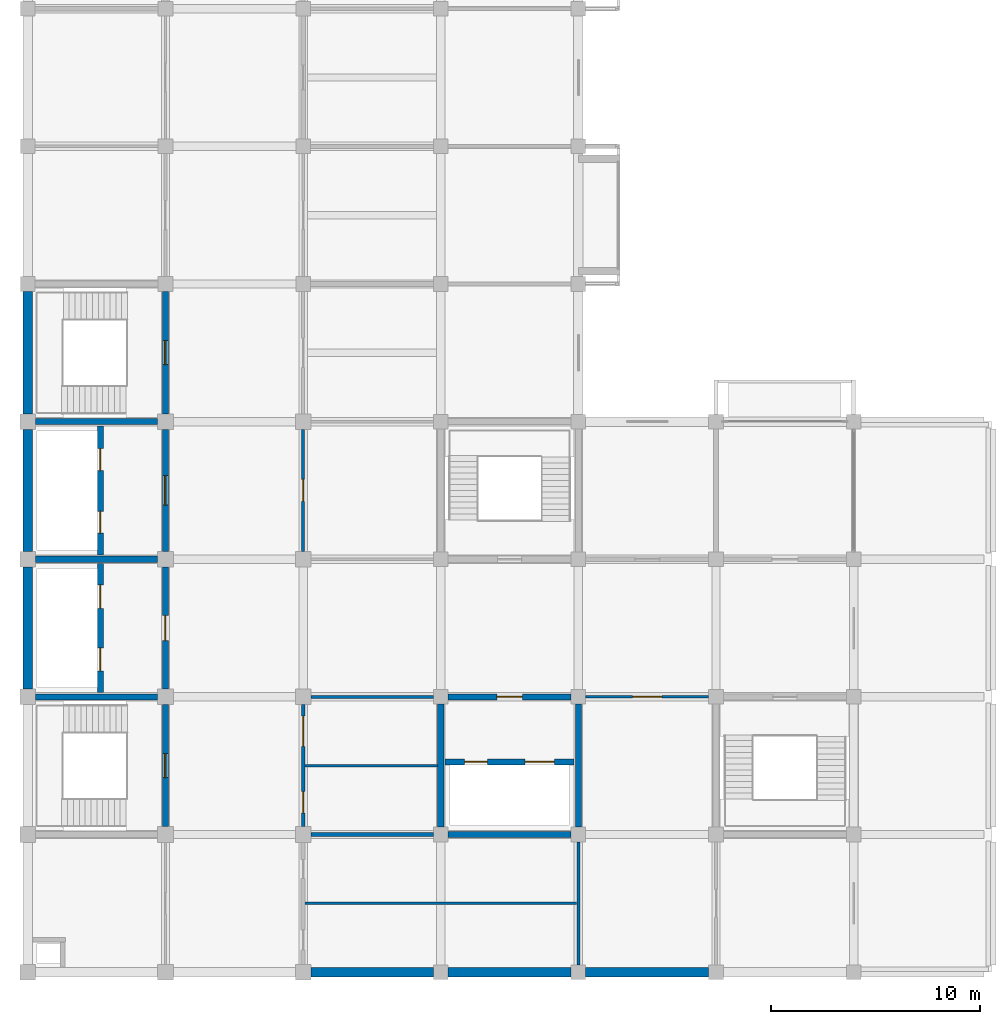
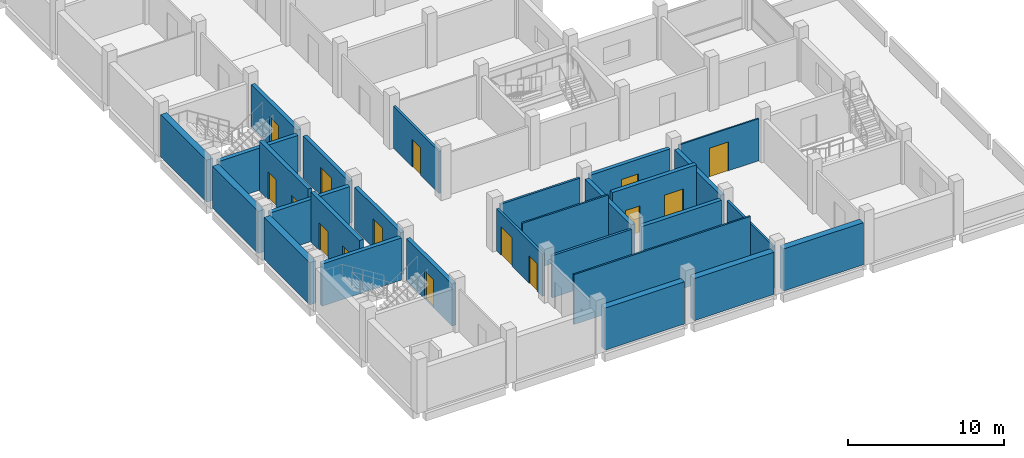
# One storey, part 6 of 10: 28 walls, 15 doors, 15 openings.
"""IFC4 building model written with IfcOpenShell, lengths in metres."""

from ifc_helpers import new_model, si_unit, direction, frame, frame_2d, origin, place, context, subcontext, project, spatial, rectangle, extrude, material, layer, layer_set, type_object, element, fill, save


model = new_model("IFC4")

# Units and contexts
model_context = context("Model", 3, precision=1e-05, world=origin(), true_north=direction((0.0, 1.0)))
body_context = subcontext(model_context, "Body", "Model", "MODEL_VIEW")
ifc_project = project(units=[si_unit("LENGTHUNIT", "METRE"), si_unit("AREAUNIT", "SQUARE_METRE"), si_unit("VOLUMEUNIT", "CUBIC_METRE"), si_unit("PLANEANGLEUNIT", "RADIAN"), si_unit("MASSUNIT", "GRAM", prefix="KILO")], contexts=[model_context])

# Site, building, storey
site_placement = place(None, origin())
site = spatial("IfcSite", under=ifc_project, at=site_placement, CompositionType="ELEMENT")
building_placement = place(site_placement, origin())
building = spatial("IfcBuilding", under=site, at=building_placement, Name="Rusizi Kubbe Research Institute", CompositionType="ELEMENT")
storey_placement = place(building_placement, frame((0.0, 0.0, 43.800048828125)))
storey = spatial("IfcBuildingStorey", under=building, at=storey_placement, Name="L10", CompositionType="ELEMENT", Elevation=43.800048828125)

# Wall
ifc_material_1 = material(Name="Concrete C40/50", Category="concrete")
ifc_layer_1 = layer(ifc_material_1, 0.294921875)
ifc_layer_set_1 = layer_set([ifc_layer_1], Name="Concrete C40/50")
wall_type_1 = type_object("IfcWallType", Name="CRW-03", PredefinedType="SHEAR", material=ifc_layer_set_1)
wall_1_placement = place(storey_placement, frame((0.375, 13.199951171875, 0.0), z_axis=(0.0, 0.0, 1.0), x_axis=(1.0, 0.0, 0.0)))
element("IfcWall", 1, at=wall_1_placement, inside=storey, type_object=wall_type_1, Name="Stair Core Shear Wall ST1 L10 N", PredefinedType="SHEAR", context=body_context, shape_type="SweptSolid", body=[
    extrude(rectangle(XDim=5.85009765625, YDim=0.294921875, at=frame_2d((2.925048828125, 0.0))), origin(), (0.0, 0.0, 1.0), 3.2900390625),
])

# Wall, opening, door
wall_2_placement = place(storey_placement, frame((6.60009765625, 6.97509765625, 0.0), z_axis=(0.0, 0.0, 1.0), x_axis=(0.0, 1.0, 0.0)))
wall_2 = element("IfcWall", 2, at=wall_2_placement, inside=storey, type_object=wall_type_1, Name="Stair Core Shear Wall ST1 L10 E", PredefinedType="SHEAR", context=body_context, shape_type="SweptSolid", body=[
    extrude(rectangle(XDim=5.849853515625, YDim=0.294921875, at=frame_2d((2.9248046875, 0.0))), origin(), (0.0, 0.0, 1.0), 3.2900390625),
])
opening_1_placement = place(wall_2_placement, frame((2.35009765625, 0.0, 0.0)))
opening_1 = element("IfcOpeningElement", 3, at=opening_1_placement, cuts=wall_2, Name="Opening D-02", PredefinedType="OPENING", context=body_context, shape_type="SweptSolid", body=[
    extrude(rectangle(XDim=1.14990234375, YDim=2.199951171875, at=frame_2d((0.574951171875, 1.10009765625))), frame((0.0, 0.157470703125, 0.0), z_axis=(0.0, -1.0, 0.0), x_axis=(1.0, 0.0, 0.0)), (0.0, 0.0, 1.0), 0.31494140625),
])
ifc_material_2 = material(Name="Fire-Rated Steel Frame and Acoustic Timber Leaf", Category="wood")
door_type_1 = type_object("IfcDoorType", Name="ID-STAIR-115", OperationType="NOTDEFINED", PredefinedType="DOOR", material=ifc_material_2)
door_1_placement = place(opening_1_placement, origin())
door_1 = element("IfcDoor", 4, at=door_1_placement, inside=storey, type_object=door_type_1, Name="Exit Stair Door ST1 L10", OperationType="SINGLE_SWING_RIGHT", OverallHeight=2.199951171875, OverallWidth=1.14990234375, PredefinedType="DOOR", context=body_context, shape_type="SweptSolid", body=[
    extrude(rectangle(XDim=1.14990234375, YDim=2.199951171875, at=frame_2d((0.574951171875, 1.10009765625))), frame((0.0, 0.02490234375, 0.0), z_axis=(0.0, -1.0, 0.0), x_axis=(1.0, 0.0, 0.0)), (0.0, 0.0, 1.0), 0.050048828125),
])
fill(opening_1, door_1)

# Wall
wall_3_placement = place(storey_placement, frame((0.375, 26.39990234375, 0.0), z_axis=(0.0, 0.0, 1.0), x_axis=(1.0, 0.0, 0.0)))
element("IfcWall", 5, at=wall_3_placement, inside=storey, type_object=wall_type_1, Name="Stair Core Shear Wall ST2 L10 S", PredefinedType="SHEAR", context=body_context, shape_type="SweptSolid", body=[
    extrude(rectangle(XDim=5.85009765625, YDim=0.294921875, at=frame_2d((2.925048828125, 0.0))), origin(), (0.0, 0.0, 1.0), 3.2900390625),
])

# Wall, opening, door
wall_4_placement = place(storey_placement, frame((6.60009765625, 26.77490234375, 0.0), z_axis=(0.0, 0.0, 1.0), x_axis=(0.0, 1.0, 0.0)))
wall_4 = element("IfcWall", 6, at=wall_4_placement, inside=storey, type_object=wall_type_1, Name="Stair Core Shear Wall ST2 L10 E", PredefinedType="SHEAR", context=body_context, shape_type="SweptSolid", body=[
    extrude(rectangle(XDim=5.875, YDim=0.294921875, at=frame_2d((2.9375, 0.0))), origin(), (0.0, 0.0, 1.0), 3.2900390625),
])
opening_2_placement = place(wall_4_placement, frame((2.362548828125, 0.0, 0.0)))
opening_2 = element("IfcOpeningElement", 7, at=opening_2_placement, cuts=wall_4, Name="Opening D-02", PredefinedType="OPENING", context=body_context, shape_type="SweptSolid", body=[
    extrude(rectangle(XDim=1.14990234375, YDim=2.199951171875, at=frame_2d((0.574951171875, 1.10009765625))), frame((0.0, 0.157470703125, 0.0), z_axis=(0.0, -1.0, 0.0), x_axis=(1.0, 0.0, 0.0)), (0.0, 0.0, 1.0), 0.31494140625),
])
door_2_placement = place(opening_2_placement, origin())
door_2 = element("IfcDoor", 8, at=door_2_placement, inside=storey, type_object=door_type_1, Name="Exit Stair Door ST2 L10", OperationType="SINGLE_SWING_RIGHT", OverallHeight=2.199951171875, OverallWidth=1.14990234375, PredefinedType="DOOR", context=body_context, shape_type="SweptSolid", body=[
    extrude(rectangle(XDim=1.14990234375, YDim=2.199951171875, at=frame_2d((0.574951171875, 1.10009765625))), frame((0.0, 0.02490234375, 0.0), z_axis=(0.0, -1.0, 0.0), x_axis=(1.0, 0.0, 0.0)), (0.0, 0.0, 1.0), 0.050048828125),
])
fill(opening_2, door_2)

# Walls
wall_5_placement = place(storey_placement, frame((0.375, 19.800048828125, 0.0), z_axis=(0.0, 0.0, 1.0), x_axis=(1.0, 0.0, 0.0)))
element("IfcWall", 9, at=wall_5_placement, inside=storey, type_object=wall_type_1, Name="Lift Core Divider Wall (0,2-3) L10", PredefinedType="SHEAR", context=body_context, shape_type="SweptSolid", body=[
    extrude(rectangle(XDim=5.85009765625, YDim=0.294921875, at=frame_2d((2.925048828125, 0.0))), origin(), (0.0, 0.0, 1.0), 3.2900390625),
])
for number, where, z_axis, x_axis, name in (
    (10, (20.14990234375, 6.60009765625, 0.0), (0.0, 0.0, 1.0), (1.0, 0.0, 0.0), "Lab Lift Core Wall S (3,1) L10"),
    (11, (19.800048828125, 6.949951171875, 0.0), (0.0, 0.0, 1.0), (0.0, 1.0, 0.0), "Lab Lift Core Wall W (3,1) L10"),
    (12, (26.39990234375, 6.949951171875, 0.0), (0.0, 0.0, 1.0), (0.0, 1.0, 0.0), "Lab Lift Core Wall E (3,1) L10"),
):
    element("IfcWall", number, at=place(storey_placement, frame(where, z_axis=z_axis, x_axis=x_axis)), inside=storey, type_object=wall_type_1, Name=name, PredefinedType="SHEAR", context=body_context, shape_type="SweptSolid", body=[
        extrude(rectangle(XDim=5.900146484375, YDim=0.294921875, at=frame_2d((2.9501953125, 0.0))), origin(), (0.0, 0.0, 1.0), 3.2900390625),
    ])

# Wall, openings, doors
wall_6_placement = place(storey_placement, frame((3.47998046875, 13.39990234375, 0.0), z_axis=(0.0, 0.0, 1.0), x_axis=(0.0, 1.0, 0.0)))
wall_6 = element("IfcWall", 13, at=wall_6_placement, inside=storey, type_object=wall_type_1, Name="Firefighting Lift Shaft Front Wall L10", PredefinedType="SHEAR", context=body_context, shape_type="SweptSolid", body=[
    extrude(rectangle(XDim=6.2001953125, YDim=0.294921875, at=frame_2d((3.10009765625, 0.0))), origin(), (0.0, 0.0, 1.0), 3.889892578125),
])
opening_3_placement = place(wall_6_placement, frame((1.050048828125, 0.0, 0.0)))
opening_3 = element("IfcOpeningElement", 14, at=opening_3_placement, cuts=wall_6, Name="Opening LD-01", PredefinedType="OPENING", context=body_context, shape_type="SweptSolid", body=[
    extrude(rectangle(XDim=1.10009765625, YDim=2.14990234375, at=frame_2d((0.550048828125, 1.074951171875))), frame((0.0, 0.157470703125, 0.0), z_axis=(0.0, -1.0, 0.0), x_axis=(1.0, 0.0, 0.0)), (0.0, 0.0, 1.0), 0.31494140625),
])
opening_4_placement = place(wall_6_placement, frame((4.050048828125, 0.0, 0.0)))
opening_4 = element("IfcOpeningElement", 15, at=opening_4_placement, cuts=wall_6, Name="Opening LD-02", PredefinedType="OPENING", context=body_context, shape_type="SweptSolid", body=[
    extrude(rectangle(XDim=1.1201171875, YDim=2.14990234375, at=frame_2d((0.56005859375, 1.074951171875))), frame((0.0, 0.157470703125, 0.0), z_axis=(0.0, -1.0, 0.0), x_axis=(1.0, 0.0, 0.0)), (0.0, 0.0, 1.0), 0.31494140625),
])
ifc_material_3 = material(Name="Brushed Stainless Steel Sliding Door", Category="steel")
door_type_2 = type_object("IfcDoorType", Name="LD-01", OperationType="DOUBLE_DOOR_SLIDING", PredefinedType="USERDEFINED", material=ifc_material_3)
door_3_placement = place(opening_3_placement, origin())
door_3 = element("IfcDoor", 16, at=door_3_placement, inside=storey, type_object=door_type_2, Name="Lift Landing Sliding Door FL1 L10", ObjectType="SLIDING DOOR", OperationType="DOUBLE_DOOR_SLIDING", OverallHeight=2.14990234375, OverallWidth=1.10009765625, PredefinedType="USERDEFINED", context=body_context, shape_type="SweptSolid", body=[
    extrude(rectangle(XDim=1.10009765625, YDim=2.14990234375, at=frame_2d((0.550048828125, 1.074951171875))), frame((0.0, 0.02490234375, 0.0), z_axis=(0.0, -1.0, 0.0), x_axis=(1.0, 0.0, 0.0)), (0.0, 0.0, 1.0), 0.050048828125),
])
fill(opening_3, door_3)
ifc_material_4 = material(Name="Brushed Stainless Steel Sliding Door", Category="steel")
door_type_3 = type_object("IfcDoorType", Name="LD-02", OperationType="DOUBLE_DOOR_SLIDING", PredefinedType="USERDEFINED", material=ifc_material_4)
door_4_placement = place(opening_4_placement, origin())
door_4 = element("IfcDoor", 17, at=door_4_placement, inside=storey, type_object=door_type_3, Name="Lift Landing Sliding Door FL2 L10", ObjectType="SLIDING DOOR", OperationType="DOUBLE_DOOR_SLIDING", OverallHeight=2.14990234375, OverallWidth=1.1201171875, PredefinedType="USERDEFINED", context=body_context, shape_type="SweptSolid", body=[
    extrude(rectangle(XDim=1.1201171875, YDim=2.14990234375, at=frame_2d((0.56005859375, 1.074951171875))), frame((0.0, 0.02490234375, 0.0), z_axis=(0.0, -1.0, 0.0), x_axis=(1.0, 0.0, 0.0)), (0.0, 0.0, 1.0), 0.050048828125),
])
fill(opening_4, door_4)

wall_7_placement = place(storey_placement, frame((3.47998046875, 20.0, 0.0), z_axis=(0.0, 0.0, 1.0), x_axis=(0.0, 1.0, 0.0)))
wall_7 = element("IfcWall", 18, at=wall_7_placement, inside=storey, type_object=wall_type_1, Name="Passenger Lift Shaft Front Wall L10", PredefinedType="SHEAR", context=body_context, shape_type="SweptSolid", body=[
    extrude(rectangle(XDim=6.199951171875, YDim=0.294921875, at=frame_2d((3.10009765625, 0.0))), origin(), (0.0, 0.0, 1.0), 3.889892578125),
])
opening_5_placement = place(wall_7_placement, frame((1.050048828125, 0.0, 0.0)))
opening_5 = element("IfcOpeningElement", 19, at=opening_5_placement, cuts=wall_7, Name="Opening LD-03", PredefinedType="OPENING", context=body_context, shape_type="SweptSolid", body=[
    extrude(rectangle(XDim=1.050048828125, YDim=2.14990234375, at=frame_2d((0.52490234375, 1.074951171875))), frame((0.0, 0.157470703125, 0.0), z_axis=(0.0, -1.0, 0.0), x_axis=(1.0, 0.0, 0.0)), (0.0, 0.0, 1.0), 0.31494140625),
])
opening_6_placement = place(wall_7_placement, frame((4.050048828125, 0.0, 0.0)))
opening_6 = element("IfcOpeningElement", 20, at=opening_6_placement, cuts=wall_7, Name="Opening LD-04", PredefinedType="OPENING", context=body_context, shape_type="SweptSolid", body=[
    extrude(rectangle(XDim=1.06005859375, YDim=2.14990234375, at=frame_2d((0.530029296875, 1.074951171875))), frame((0.0, 0.157470703125, 0.0), z_axis=(0.0, -1.0, 0.0), x_axis=(1.0, 0.0, 0.0)), (0.0, 0.0, 1.0), 0.31494140625),
])
ifc_material_5 = material(Name="Brushed Stainless Steel Sliding Door", Category="steel")
door_type_4 = type_object("IfcDoorType", Name="LD-03", OperationType="DOUBLE_DOOR_SLIDING", PredefinedType="USERDEFINED", material=ifc_material_5)
door_5_placement = place(opening_5_placement, origin())
door_5 = element("IfcDoor", 21, at=door_5_placement, inside=storey, type_object=door_type_4, Name="Lift Landing Sliding Door LP1 L10", ObjectType="SLIDING DOOR", OperationType="DOUBLE_DOOR_SLIDING", OverallHeight=2.14990234375, OverallWidth=1.050048828125, PredefinedType="USERDEFINED", context=body_context, shape_type="SweptSolid", body=[
    extrude(rectangle(XDim=1.050048828125, YDim=2.14990234375, at=frame_2d((0.52490234375, 1.074951171875))), frame((0.0, 0.02490234375, 0.0), z_axis=(0.0, -1.0, 0.0), x_axis=(1.0, 0.0, 0.0)), (0.0, 0.0, 1.0), 0.050048828125),
])
fill(opening_5, door_5)
ifc_material_6 = material(Name="Brushed Stainless Steel Sliding Door", Category="steel")
door_type_5 = type_object("IfcDoorType", Name="LD-04", OperationType="DOUBLE_DOOR_SLIDING", PredefinedType="USERDEFINED", material=ifc_material_6)
door_6_placement = place(opening_6_placement, origin())
door_6 = element("IfcDoor", 22, at=door_6_placement, inside=storey, type_object=door_type_5, Name="Lift Landing Sliding Door LP2 L10", ObjectType="SLIDING DOOR", OperationType="DOUBLE_DOOR_SLIDING", OverallHeight=2.14990234375, OverallWidth=1.06005859375, PredefinedType="USERDEFINED", context=body_context, shape_type="SweptSolid", body=[
    extrude(rectangle(XDim=1.06005859375, YDim=2.14990234375, at=frame_2d((0.530029296875, 1.074951171875))), frame((0.0, 0.02490234375, 0.0), z_axis=(0.0, -1.0, 0.0), x_axis=(1.0, 0.0, 0.0)), (0.0, 0.0, 1.0), 0.050048828125),
])
fill(opening_6, door_6)

wall_8_placement = place(storey_placement, frame((20.0, 10.080078125, 0.0), z_axis=(0.0, 0.0, 1.0), x_axis=(1.0, 0.0, 0.0)))
wall_8 = element("IfcWall", 23, at=wall_8_placement, inside=storey, type_object=wall_type_1, Name="Goods Lift Shaft Front Wall L10", PredefinedType="SHEAR", context=body_context, shape_type="SweptSolid", body=[
    extrude(rectangle(XDim=6.199951171875, YDim=0.294921875, at=frame_2d((3.10009765625, 0.0))), origin(), (0.0, 0.0, 1.0), 3.889892578125),
])
opening_7_placement = place(wall_8_placement, frame((0.949951171875, 0.0, 0.0)))
opening_7 = element("IfcOpeningElement", 24, at=opening_7_placement, cuts=wall_8, Name="Opening LD-05", PredefinedType="OPENING", context=body_context, shape_type="SweptSolid", body=[
    extrude(rectangle(XDim=1.080078125, YDim=2.14990234375, at=frame_2d((0.5400390625, 1.074951171875))), frame((0.0, 0.157470703125, 0.0), z_axis=(0.0, -1.0, 0.0), x_axis=(1.0, 0.0, 0.0)), (0.0, 0.0, 1.0), 0.31494140625),
])
opening_8_placement = place(wall_8_placement, frame((3.85009765625, 0.0, 0.0)))
opening_8 = element("IfcOpeningElement", 25, at=opening_8_placement, cuts=wall_8, Name="Opening LD-06", PredefinedType="OPENING", context=body_context, shape_type="SweptSolid", body=[
    extrude(rectangle(XDim=1.39990234375, YDim=2.35009765625, at=frame_2d((0.699951171875, 1.175048828125))), frame((0.0, 0.157470703125, 0.0), z_axis=(0.0, -1.0, 0.0), x_axis=(1.0, 0.0, 0.0)), (0.0, 0.0, 1.0), 0.31494140625),
])
ifc_material_7 = material(Name="Brushed Stainless Steel Sliding Door", Category="steel")
door_type_6 = type_object("IfcDoorType", Name="LD-05", OperationType="DOUBLE_DOOR_SLIDING", PredefinedType="USERDEFINED", material=ifc_material_7)
door_7_placement = place(opening_7_placement, origin())
door_7 = element("IfcDoor", 26, at=door_7_placement, inside=storey, type_object=door_type_6, Name="Lift Landing Sliding Door LP3 L10", ObjectType="SLIDING DOOR", OperationType="DOUBLE_DOOR_SLIDING", OverallHeight=2.14990234375, OverallWidth=1.080078125, PredefinedType="USERDEFINED", context=body_context, shape_type="SweptSolid", body=[
    extrude(rectangle(XDim=1.080078125, YDim=2.14990234375, at=frame_2d((0.5400390625, 1.074951171875))), frame((0.0, 0.02490234375, 0.0), z_axis=(0.0, -1.0, 0.0), x_axis=(1.0, 0.0, 0.0)), (0.0, 0.0, 1.0), 0.050048828125),
])
fill(opening_7, door_7)
ifc_material_8 = material(Name="Brushed Stainless Steel Sliding Door", Category="steel")
door_type_7 = type_object("IfcDoorType", Name="LD-06", OperationType="DOUBLE_DOOR_SLIDING", PredefinedType="USERDEFINED", material=ifc_material_8)
door_8_placement = place(opening_8_placement, origin())
door_8 = element("IfcDoor", 27, at=door_8_placement, inside=storey, type_object=door_type_7, Name="Lift Landing Sliding Door LG1 L10", ObjectType="SLIDING DOOR", OperationType="DOUBLE_DOOR_SLIDING", OverallHeight=2.35009765625, OverallWidth=1.39990234375, PredefinedType="USERDEFINED", context=body_context, shape_type="SweptSolid", body=[
    extrude(rectangle(XDim=1.39990234375, YDim=2.35009765625, at=frame_2d((0.699951171875, 1.175048828125))), frame((0.0, 0.02490234375, 0.0), z_axis=(0.0, -1.0, 0.0), x_axis=(1.0, 0.0, 0.0)), (0.0, 0.0, 1.0), 0.050048828125),
])
fill(opening_8, door_8)

# Wall
ifc_material_9 = material(Name="Acoustic Laboratory Partition", Category="masonry")
ifc_layer_2 = layer(ifc_material_9, 0.175048828125)
ifc_layer_set_2 = layer_set([ifc_layer_2], Name="Acoustic Laboratory Partition")
wall_type_2 = type_object("IfcWallType", Name="IW-03", PredefinedType="PARTITIONING", material=ifc_layer_set_2)
wall_9_placement = place(storey_placement, frame((13.574951171875, 6.60009765625, 0.0), z_axis=(0.0, 0.0, 1.0), x_axis=(1.0, 0.0, 0.0)))
element("IfcWall", 28, at=wall_9_placement, inside=storey, type_object=wall_type_2, Name="Sanitary Core North Divider Wall L10", PredefinedType="PARTITIONING", context=body_context, shape_type="SweptSolid", body=[
    extrude(rectangle(XDim=5.875, YDim=0.175048828125, at=frame_2d((2.9375, 0.0))), origin(), (0.0, 0.0, 1.0), 3.2900390625),
])

# Wall, openings, doors
wall_10_placement = place(storey_placement, frame((13.199951171875, 6.97509765625, 0.0), z_axis=(0.0, 0.0, 1.0), x_axis=(0.0, 1.0, 0.0)))
wall_10 = element("IfcWall", 29, at=wall_10_placement, inside=storey, type_object=wall_type_2, Name="Accessible WC and Store West Wall L10", PredefinedType="PARTITIONING", context=body_context, shape_type="SweptSolid", body=[
    extrude(rectangle(XDim=5.849853515625, YDim=0.175048828125, at=frame_2d((2.9248046875, 0.0))), origin(), (0.0, 0.0, 1.0), 3.2900390625),
])
opening_9_placement = place(wall_10_placement, frame((0.6650390625, 0.0, 0.0)))
opening_9 = element("IfcOpeningElement", 30, at=opening_9_placement, cuts=wall_10, Name="Opening D-07", PredefinedType="OPENING", context=body_context, shape_type="SweptSolid", body=[
    extrude(rectangle(XDim=1.02001953125, YDim=2.14990234375, at=frame_2d((0.510009765625, 1.074951171875))), frame((0.0, 0.097412109375, 0.0), z_axis=(0.0, -1.0, 0.0), x_axis=(1.0, 0.0, 0.0)), (0.0, 0.0, 1.0), 0.195068359375),
])
opening_10_placement = place(wall_10_placement, frame((3.85009765625, 0.0, 0.0)))
opening_10 = element("IfcOpeningElement", 31, at=opening_10_placement, cuts=wall_10, Name="Opening D-11", PredefinedType="OPENING", context=body_context, shape_type="SweptSolid", body=[
    extrude(rectangle(XDim=1.449951171875, YDim=2.25, at=frame_2d((0.72509765625, 1.125))), frame((0.0, 0.097412109375, 0.0), z_axis=(0.0, -1.0, 0.0), x_axis=(1.0, 0.0, 0.0)), (0.0, 0.0, 1.0), 0.195068359375),
])
ifc_material_10 = material(Name="Fire-Rated Steel Frame and Acoustic Timber Leaf", Category="wood")
door_type_8 = type_object("IfcDoorType", Name="ID-LAB-145", OperationType="NOTDEFINED", PredefinedType="DOOR", material=ifc_material_10)
door_9_placement = place(opening_10_placement, origin())
door_9 = element("IfcDoor", 32, at=door_9_placement, inside=storey, type_object=door_type_8, Name="Door to Laboratory Reagent Store (L10-STR-01)", OperationType="SINGLE_SWING_LEFT", OverallHeight=2.25, OverallWidth=1.449951171875, PredefinedType="DOOR", context=body_context, shape_type="SweptSolid", body=[
    extrude(rectangle(XDim=1.449951171875, YDim=2.25, at=frame_2d((0.72509765625, 1.125))), frame((0.0, 0.02490234375, 0.0), z_axis=(0.0, -1.0, 0.0), x_axis=(1.0, 0.0, 0.0)), (0.0, 0.0, 1.0), 0.050048828125),
])
fill(opening_10, door_9)
ifc_material_11 = material(Name="Fire-Rated Steel Frame and Acoustic Timber Leaf", Category="wood")
door_type_9 = type_object("IfcDoorType", Name="ID-WC-ACC", OperationType="NOTDEFINED", PredefinedType="DOOR", material=ifc_material_11)
door_10_placement = place(opening_9_placement, origin())
door_10 = element("IfcDoor", 33, at=door_10_placement, inside=storey, type_object=door_type_9, Name="Door to Accessible Toilet Room (L10-WC-ACC)", OperationType="SINGLE_SWING_LEFT", OverallHeight=2.14990234375, OverallWidth=1.02001953125, PredefinedType="DOOR", context=body_context, shape_type="SweptSolid", body=[
    extrude(rectangle(XDim=1.02001953125, YDim=2.14990234375, at=frame_2d((0.510009765625, 1.074951171875))), frame((0.0, 0.02490234375, 0.0), z_axis=(0.0, -1.0, 0.0), x_axis=(1.0, 0.0, 0.0)), (0.0, 0.0, 1.0), 0.050048828125),
])
fill(opening_9, door_10)

# Walls
ifc_material_12 = material(Name="Fire-Rated Corridor Partition", Category="masonry")
ifc_layer_3 = layer(ifc_material_12, 0.155029296875)
ifc_layer_set_3 = layer_set([ifc_layer_3], Name="Fire-Rated Corridor Partition")
wall_type_3 = type_object("IfcWallType", Name="IW-04", PredefinedType="PARTITIONING", material=ifc_layer_set_3)
wall_11_placement = place(storey_placement, frame((26.39990234375, 0.35009765625, 0.0), z_axis=(0.0, 0.0, 1.0), x_axis=(0.0, 1.0, 0.0)))
element("IfcWall", 34, at=wall_11_placement, inside=storey, type_object=wall_type_3, Name="Sanitary Core East Enclosing Wall L10", PredefinedType="PARTITIONING", context=body_context, shape_type="SweptSolid", body=[
    extrude(rectangle(XDim=5.89990234375, YDim=0.155029296875, at=frame_2d((2.949951171875, 0.0))), origin(), (0.0, 0.0, 1.0), 3.2900390625),
])
wall_12_placement = place(storey_placement, frame((13.574951171875, 13.199951171875, 0.0), z_axis=(0.0, 0.0, 1.0), x_axis=(1.0, 0.0, 0.0)))
element("IfcWall", 35, at=wall_12_placement, inside=storey, type_object=wall_type_3, Name="Reagent Store North Corridor Wall L10", PredefinedType="PARTITIONING", context=body_context, shape_type="SweptSolid", body=[
    extrude(rectangle(XDim=5.875, YDim=0.155029296875, at=frame_2d((2.9375, 0.0))), origin(), (0.0, 0.0, 1.0), 3.2900390625),
])

# Wall, opening, door
wall_13_placement = place(storey_placement, frame((13.199951171875, 20.175048828125, 0.0), z_axis=(0.0, 0.0, 1.0), x_axis=(0.0, 1.0, 0.0)))
wall_13 = element("IfcWall", 36, at=wall_13_placement, inside=storey, type_object=wall_type_3, Name="Interior Partition Wall L10 V2-3", PredefinedType="PARTITIONING", context=body_context, shape_type="SweptSolid", body=[
    extrude(rectangle(XDim=5.849853515625, YDim=0.155029296875, at=frame_2d((2.9248046875, 0.0))), origin(), (0.0, 0.0, 1.0), 3.2900390625),
])
opening_11_placement = place(wall_13_placement, frame((2.39990234375, 0.0, 0.0)))
opening_11 = element("IfcOpeningElement", 37, at=opening_11_placement, cuts=wall_13, Name="Opening D-16", PredefinedType="OPENING", context=body_context, shape_type="SweptSolid", body=[
    extrude(rectangle(XDim=1.050048828125, YDim=2.14990234375, at=frame_2d((0.52490234375, 1.074951171875))), frame((0.0, 0.08740234375, 0.0), z_axis=(0.0, -1.0, 0.0), x_axis=(1.0, 0.0, 0.0)), (0.0, 0.0, 1.0), 0.175048828125),
])
ifc_material_13 = material(Name="Fire-Rated Steel Frame and Acoustic Timber Leaf", Category="wood")
door_type_10 = type_object("IfcDoorType", Name="ID-OFF-105", OperationType="NOTDEFINED", PredefinedType="DOOR", material=ifc_material_13)
door_11_placement = place(opening_11_placement, origin())
door_11 = element("IfcDoor", 38, at=door_11_placement, inside=storey, type_object=door_type_10, Name="Door to Write-up Office (L10-NW-01)", OperationType="SINGLE_SWING_LEFT", OverallHeight=2.14990234375, OverallWidth=1.050048828125, PredefinedType="DOOR", context=body_context, shape_type="SweptSolid", body=[
    extrude(rectangle(XDim=1.050048828125, YDim=2.14990234375, at=frame_2d((0.52490234375, 1.074951171875))), frame((0.0, 0.02490234375, 0.0), z_axis=(0.0, -1.0, 0.0), x_axis=(1.0, 0.0, 0.0)), (0.0, 0.0, 1.0), 0.050048828125),
])
fill(opening_11, door_11)

# Walls
ifc_material_14 = material(Name="Sanitary Wet-Wall Partition", Category="masonry")
ifc_layer_4 = layer(ifc_material_14, 0.125)
ifc_layer_set_4 = layer_set([ifc_layer_4], Name="Sanitary Wet-Wall Partition")
wall_type_4 = type_object("IfcWallType", Name="IW-06", PredefinedType="PARTITIONING", material=ifc_layer_set_4)
wall_14_placement = place(storey_placement, frame((13.302490234375, 3.300048828125, 0.0), z_axis=(0.0, 0.0, 1.0), x_axis=(1.0, 0.0, 0.0)))
element("IfcWall", 39, at=wall_14_placement, inside=storey, type_object=wall_type_4, Name="Sanitary Divider Wall L10-1", PredefinedType="PARTITIONING", context=body_context, shape_type="SweptSolid", body=[
    extrude(rectangle(XDim=13.014892578125, YDim=0.125, at=frame_2d((6.50732421875, 0.0))), origin(), (0.0, 0.0, 1.0), 3.889892578125),
])
wall_15_placement = place(storey_placement, frame((13.29248046875, 9.89990234375, 0.0), z_axis=(0.0, 0.0, 1.0), x_axis=(1.0, 0.0, 0.0)))
element("IfcWall", 40, at=wall_15_placement, inside=storey, type_object=wall_type_4, Name="Sanitary Divider Wall L10-2", PredefinedType="PARTITIONING", context=body_context, shape_type="SweptSolid", body=[
    extrude(rectangle(XDim=6.35498046875, YDim=0.125, at=frame_2d((3.177490234375, 0.0))), origin(), (0.0, 0.0, 1.0), 3.889892578125),
])

# Wall, opening, door
ifc_material_15 = material(Name="Sub-Suite Fire Partition", Category="masonry")
ifc_layer_5 = layer(ifc_material_15, 0.110107421875)
ifc_layer_set_5 = layer_set([ifc_layer_5], Name="Sub-Suite Fire Partition")
wall_type_5 = type_object("IfcWallType", Name="IW-07", PredefinedType="PARTITIONING", material=ifc_layer_set_5)
wall_16_placement = place(storey_placement, frame((26.75, 13.199951171875, 0.0), z_axis=(0.0, 0.0, 1.0), x_axis=(1.0, 0.0, 0.0)))
wall_16 = element("IfcWall", 41, at=wall_16_placement, inside=storey, type_object=wall_type_5, Name="Interior Partition Wall L10 H4-2", PredefinedType="PARTITIONING", context=body_context, shape_type="SweptSolid", body=[
    extrude(rectangle(XDim=5.89990234375, YDim=0.110107421875, at=frame_2d((2.949951171875, 0.0))), origin(), (0.0, 0.0, 1.0), 3.2900390625),
])
opening_12_placement = place(wall_16_placement, frame((2.25, 0.0, 0.0)))
opening_12 = element("IfcOpeningElement", 42, at=opening_12_placement, cuts=wall_16, Name="Opening D-12", PredefinedType="OPENING", context=body_context, shape_type="SweptSolid", body=[
    extrude(rectangle(XDim=1.39990234375, YDim=2.25, at=frame_2d((0.699951171875, 1.125))), frame((0.0, 0.06494140625, 0.0), z_axis=(0.0, -1.0, 0.0), x_axis=(1.0, 0.0, 0.0)), (0.0, 0.0, 1.0), 0.130126953125),
])
ifc_material_16 = material(Name="Fire-Rated Steel Frame and Acoustic Timber Leaf", Category="wood")
door_type_11 = type_object("IfcDoorType", Name="ID-LAB-140", OperationType="NOTDEFINED", PredefinedType="DOOR", material=ifc_material_16)
door_12_placement = place(opening_12_placement, origin())
door_12 = element("IfcDoor", 43, at=door_12_placement, inside=storey, type_object=door_type_11, Name="Door to Catalysis Wet Laboratory (L10-EWS-01)", OperationType="SINGLE_SWING_RIGHT", OverallHeight=2.25, OverallWidth=1.39990234375, PredefinedType="DOOR", context=body_context, shape_type="SweptSolid", body=[
    extrude(rectangle(XDim=1.39990234375, YDim=2.25, at=frame_2d((0.699951171875, 1.125))), frame((0.0, 0.02490234375, 0.0), z_axis=(0.0, -1.0, 0.0), x_axis=(1.0, 0.0, 0.0)), (0.0, 0.0, 1.0), 0.050048828125),
])
fill(opening_12, door_12)

# Walls
ifc_material_17 = material(Name="Concrete C40/50", Category="concrete")
ifc_layer_6 = layer(ifc_material_17, 0.4599609375)
ifc_layer_set_6 = layer_set([ifc_layer_6], Name="Concrete C40/50")
wall_type_6 = type_object("IfcWallType", Name="PW-02", PredefinedType="SOLIDWALL", material=ifc_layer_set_6)
wall_17_placement = place(storey_placement, frame((0.0, 13.574951171875, 0.0), z_axis=(0.0, 0.0, 1.0), x_axis=(0.0, 1.0, 0.0)))
element("IfcWall", 44, at=wall_17_placement, inside=storey, type_object=wall_type_6, Name="Blind Party Wall L10 V0-2", PredefinedType="SOLIDWALL", context=body_context, shape_type="SweptSolid", body=[
    extrude(rectangle(XDim=5.85009765625, YDim=0.4599609375, at=frame_2d((2.925048828125, 0.0))), origin(), (0.0, 0.0, 1.0), 3.2900390625),
])
wall_18_placement = place(storey_placement, frame((0.0, 20.175048828125, 0.0), z_axis=(0.0, 0.0, 1.0), x_axis=(0.0, 1.0, 0.0)))
element("IfcWall", 45, at=wall_18_placement, inside=storey, type_object=wall_type_6, Name="Blind Party Wall L10 V0-3", PredefinedType="SOLIDWALL", context=body_context, shape_type="SweptSolid", body=[
    extrude(rectangle(XDim=5.849853515625, YDim=0.4599609375, at=frame_2d((2.9248046875, 0.0))), origin(), (0.0, 0.0, 1.0), 3.2900390625),
])
for number, where, z_axis, x_axis, name in (
    (46, (0.0, 26.77490234375, 0.0), (0.0, 0.0, 1.0), (0.0, 1.0, 0.0), "Blind Party Wall L10 V0-4"),
    (47, (13.574951171875, 0.0, 0.0), (0.0, 0.0, 1.0), (1.0, 0.0, 0.0), "Blind Party Wall L10 H2-0"),
):
    element("IfcWall", number, at=place(storey_placement, frame(where, z_axis=z_axis, x_axis=x_axis)), inside=storey, type_object=wall_type_6, Name=name, PredefinedType="SOLIDWALL", context=body_context, shape_type="SweptSolid", body=[
        extrude(rectangle(XDim=5.875, YDim=0.4599609375, at=frame_2d((2.9375, 0.0))), origin(), (0.0, 0.0, 1.0), 3.2900390625),
    ])
wall_19_placement = place(storey_placement, frame((20.14990234375, 0.0, 0.0), z_axis=(0.0, 0.0, 1.0), x_axis=(1.0, 0.0, 0.0)))
element("IfcWall", 48, at=wall_19_placement, inside=storey, type_object=wall_type_6, Name="Blind Party Wall L10 H3-0", PredefinedType="SOLIDWALL", context=body_context, shape_type="SweptSolid", body=[
    extrude(rectangle(XDim=5.900146484375, YDim=0.4599609375, at=frame_2d((2.9501953125, 0.0))), origin(), (0.0, 0.0, 1.0), 3.2900390625),
])
wall_20_placement = place(storey_placement, frame((26.75, 0.0, 0.0), z_axis=(0.0, 0.0, 1.0), x_axis=(1.0, 0.0, 0.0)))
element("IfcWall", 49, at=wall_20_placement, inside=storey, type_object=wall_type_6, Name="Blind Party Wall L10 H4-0", PredefinedType="SOLIDWALL", context=body_context, shape_type="SweptSolid", body=[
    extrude(rectangle(XDim=5.89990234375, YDim=0.4599609375, at=frame_2d((2.949951171875, 0.0))), origin(), (0.0, 0.0, 1.0), 3.2900390625),
])

# Wall, opening, door
ifc_material_18 = material(Name="Concrete C40/50", Category="concrete")
ifc_layer_7 = layer(ifc_material_18, 0.27490234375)
ifc_layer_set_7 = layer_set([ifc_layer_7], Name="Concrete C40/50")
wall_type_7 = type_object("IfcWallType", Name="SHW-01", PredefinedType="SHEAR", material=ifc_layer_set_7)
wall_21_placement = place(storey_placement, frame((6.60009765625, 13.574951171875, 0.0), z_axis=(0.0, 0.0, 1.0), x_axis=(0.0, 1.0, 0.0)))
wall_21 = element("IfcWall", 50, at=wall_21_placement, inside=storey, type_object=wall_type_7, Name="Firefighting Lobby Wall L10", PredefinedType="SHEAR", context=body_context, shape_type="SweptSolid", body=[
    extrude(rectangle(XDim=5.85009765625, YDim=0.27490234375, at=frame_2d((2.925048828125, 0.0))), origin(), (0.0, 0.0, 1.0), 3.2900390625),
])
opening_13_placement = place(wall_21_placement, frame((2.324951171875, 0.0, 0.0)))
opening_13 = element("IfcOpeningElement", 51, at=opening_13_placement, cuts=wall_21, Name="Opening D-03", PredefinedType="OPENING", context=body_context, shape_type="SweptSolid", body=[
    extrude(rectangle(XDim=1.199951171875, YDim=2.25, at=frame_2d((0.60009765625, 1.125))), frame((0.0, 0.1474609375, 0.0), z_axis=(0.0, -1.0, 0.0), x_axis=(1.0, 0.0, 0.0)), (0.0, 0.0, 1.0), 0.294921875),
])
ifc_material_19 = material(Name="Fire-Rated Steel Frame and Acoustic Timber Leaf", Category="wood")
door_type_12 = type_object("IfcDoorType", Name="ID-FF-120", OperationType="NOTDEFINED", PredefinedType="DOOR", material=ifc_material_19)
door_13_placement = place(opening_13_placement, origin())
door_13 = element("IfcDoor", 52, at=door_13_placement, inside=storey, type_object=door_type_12, Name="Door to Firefighting Lift Lobby (L10-FFL-01)", OperationType="SINGLE_SWING_LEFT", OverallHeight=2.25, OverallWidth=1.199951171875, PredefinedType="DOOR", context=body_context, shape_type="SweptSolid", body=[
    extrude(rectangle(XDim=1.199951171875, YDim=2.25, at=frame_2d((0.60009765625, 1.125))), frame((0.0, 0.02490234375, 0.0), z_axis=(0.0, -1.0, 0.0), x_axis=(1.0, 0.0, 0.0)), (0.0, 0.0, 1.0), 0.050048828125),
])
fill(opening_13, door_13)

wall_22_placement = place(storey_placement, frame((6.60009765625, 20.175048828125, 0.0), z_axis=(0.0, 0.0, 1.0), x_axis=(0.0, 1.0, 0.0)))
wall_22 = element("IfcWall", 53, at=wall_22_placement, inside=storey, type_object=wall_type_7, Name="Passenger Lift Lobby Wall L10", PredefinedType="SHEAR", context=body_context, shape_type="SweptSolid", body=[
    extrude(rectangle(XDim=5.849853515625, YDim=0.27490234375, at=frame_2d((2.9248046875, 0.0))), origin(), (0.0, 0.0, 1.0), 3.2900390625),
])
opening_14_placement = place(wall_22_placement, frame((2.215087890625, 0.0, 0.0)))
opening_14 = element("IfcOpeningElement", 54, at=opening_14_placement, cuts=wall_22, Name="Opening D-22", PredefinedType="OPENING", context=body_context, shape_type="SweptSolid", body=[
    extrude(rectangle(XDim=1.419921875, YDim=2.199951171875, at=frame_2d((0.7099609375, 1.10009765625))), frame((0.0, 0.1474609375, 0.0), z_axis=(0.0, -1.0, 0.0), x_axis=(1.0, 0.0, 0.0)), (0.0, 0.0, 1.0), 0.294921875),
])
ifc_material_20 = material(Name="Fire-Rated Steel Frame and Acoustic Timber Leaf", Category="wood")
door_type_13 = type_object("IfcDoorType", Name="ID-STR-142", OperationType="DOUBLE_DOOR_SINGLE_SWING", PredefinedType="DOOR", material=ifc_material_20)
door_14_placement = place(opening_14_placement, origin())
door_14 = element("IfcDoor", 55, at=door_14_placement, inside=storey, type_object=door_type_13, Name="Door to Passenger Lift Lobby (L10-LBY-01)", OperationType="DOUBLE_DOOR_SINGLE_SWING", OverallHeight=2.199951171875, OverallWidth=1.419921875, PredefinedType="DOOR", context=body_context, shape_type="SweptSolid", body=[
    extrude(rectangle(XDim=1.419921875, YDim=2.199951171875, at=frame_2d((0.7099609375, 1.10009765625))), frame((0.0, 0.02490234375, 0.0), z_axis=(0.0, -1.0, 0.0), x_axis=(1.0, 0.0, 0.0)), (0.0, 0.0, 1.0), 0.050048828125),
])
fill(opening_14, door_14)

wall_23_placement = place(storey_placement, frame((20.14990234375, 13.199951171875, 0.0), z_axis=(0.0, 0.0, 1.0), x_axis=(1.0, 0.0, 0.0)))
wall_23 = element("IfcWall", 56, at=wall_23_placement, inside=storey, type_object=wall_type_7, Name="Goods Lift Lobby Wall L10", PredefinedType="SHEAR", context=body_context, shape_type="SweptSolid", body=[
    extrude(rectangle(XDim=5.900146484375, YDim=0.27490234375, at=frame_2d((2.9501953125, 0.0))), origin(), (0.0, 0.0, 1.0), 3.2900390625),
])
opening_15_placement = place(wall_23_placement, frame((2.340087890625, 0.0, 0.0)))
opening_15 = element("IfcOpeningElement", 57, at=opening_15_placement, cuts=wall_23, Name="Opening D-21", PredefinedType="OPENING", context=body_context, shape_type="SweptSolid", body=[
    extrude(rectangle(XDim=1.219970703125, YDim=2.14990234375, at=frame_2d((0.60986328125, 1.074951171875))), frame((0.0, 0.1474609375, 0.0), z_axis=(0.0, -1.0, 0.0), x_axis=(1.0, 0.0, 0.0)), (0.0, 0.0, 1.0), 0.294921875),
])
ifc_material_21 = material(Name="Fire-Rated Steel Frame and Acoustic Timber Leaf", Category="wood")
door_type_14 = type_object("IfcDoorType", Name="ID-STR-122", OperationType="NOTDEFINED", PredefinedType="DOOR", material=ifc_material_21)
door_15_placement = place(opening_15_placement, origin())
door_15 = element("IfcDoor", 58, at=door_15_placement, inside=storey, type_object=door_type_14, Name="Door to Laboratory Goods Lift Lobby (L10-GLB-01)", OperationType="SINGLE_SWING_RIGHT", OverallHeight=2.14990234375, OverallWidth=1.219970703125, PredefinedType="DOOR", context=body_context, shape_type="SweptSolid", body=[
    extrude(rectangle(XDim=1.219970703125, YDim=2.14990234375, at=frame_2d((0.60986328125, 1.074951171875))), frame((0.0, 0.02490234375, 0.0), z_axis=(0.0, -1.0, 0.0), x_axis=(1.0, 0.0, 0.0)), (0.0, 0.0, 1.0), 0.050048828125),
])
fill(opening_15, door_15)

save(model, "model.ifc")
